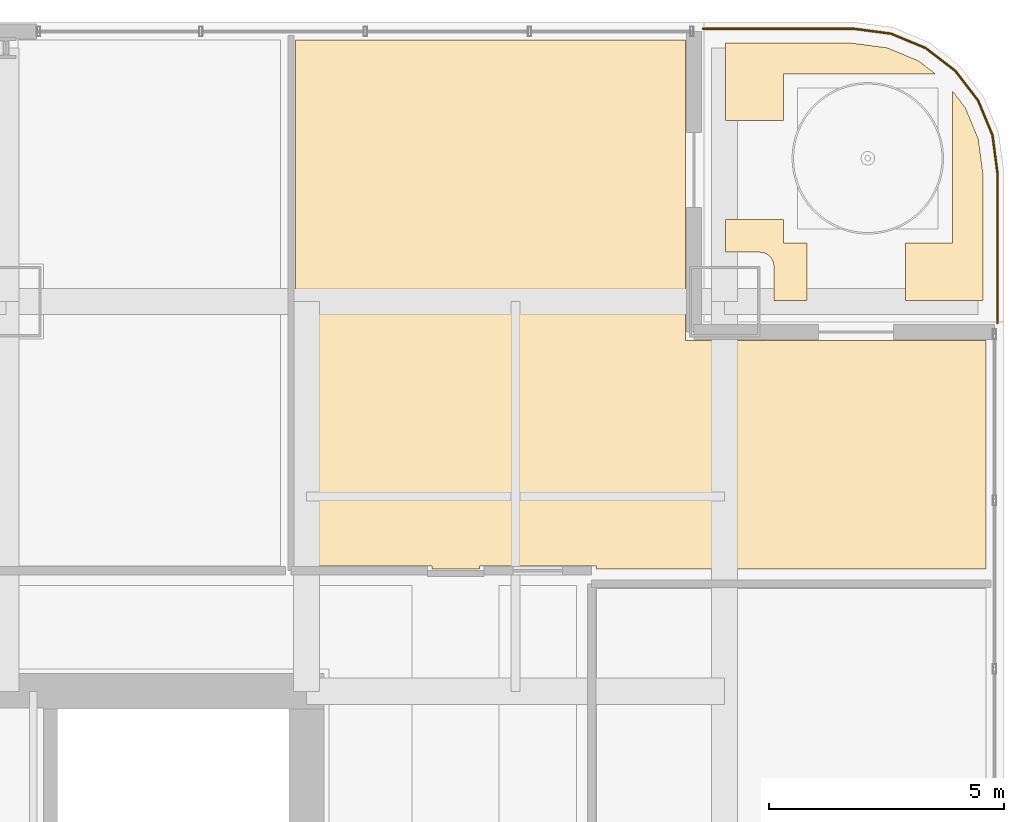
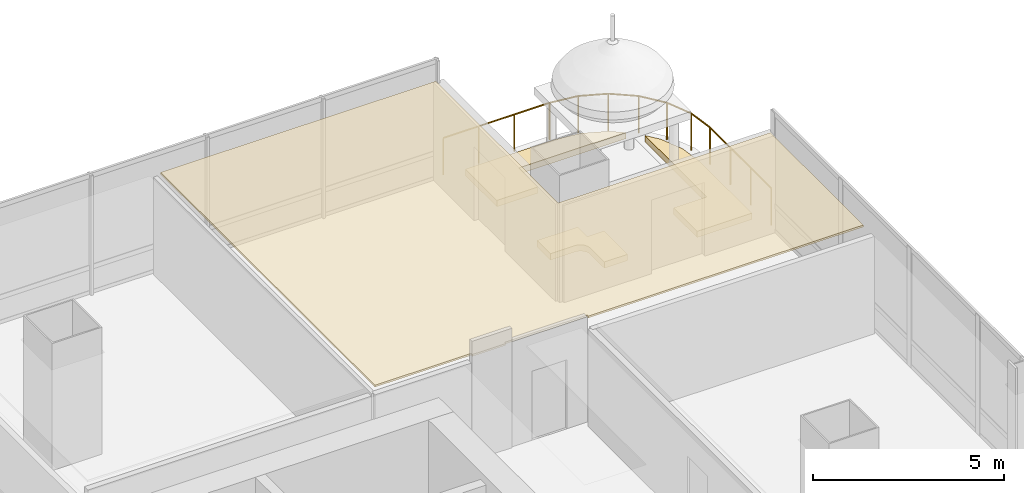
# One storey, part 37 of 37: 4 coverings, 1 railing.
"""IFC4 building model written with IfcOpenShell, lengths in metres."""

from ifc_helpers import new_model, si_unit, direction, frame, origin, origin_2d, place, context, subcontext, project, spatial, polyline, circle, outline, extrude, material, layer, layer_set, type_object, element, save


model = new_model("IFC4")

# Units and contexts
model_context = context("Model", 3, precision=1e-05, world=origin(), true_north=direction((0.0, 1.0)))
body_context = subcontext(model_context, "Body", "Model", "MODEL_VIEW")
ifc_project = project(units=[si_unit("LENGTHUNIT", "METRE"), si_unit("AREAUNIT", "SQUARE_METRE"), si_unit("VOLUMEUNIT", "CUBIC_METRE"), si_unit("PLANEANGLEUNIT", "RADIAN"), si_unit("MASSUNIT", "GRAM", prefix="KILO")], contexts=[model_context])

# Site, building, storey
site_placement = place(None, origin())
site = spatial("IfcSite", under=ifc_project, at=site_placement, CompositionType="ELEMENT")
building_placement = place(site_placement, origin())
building = spatial("IfcBuilding", under=site, at=building_placement, Name="Punatoya Terracotta Tower", CompositionType="ELEMENT")
storey_placement = place(building_placement, frame((0.0, 0.0, 109.199951171875)))
storey = spatial("IfcBuildingStorey", under=building, at=storey_placement, Name="L25", CompositionType="ELEMENT", Elevation=109.199951171875)

# Coverings
ifc_material_1 = material(Name="Acoustic Mineral Fibre Ceiling")
ifc_layer_1 = layer(ifc_material_1, 0.06005859375)
ifc_layer_set_1 = layer_set([ifc_layer_1], Name="Acoustic Mineral Fibre Ceiling")
covering_type_1 = type_object("IfcCoveringType", Name="COV-CEIL-60", PredefinedType="CEILING", material=ifc_layer_set_1)
covering_1_placement = place(storey_placement, frame((0.0, 0.0, 3.199951171875)))
element("IfcCovering", 1, at=covering_1_placement, inside=storey, type_object=covering_type_1, Name="L25 Wellness Quiet Room Acoustic Ceiling", PredefinedType="CEILING", context=body_context, shape_type="SweptSolid", body=[
    extrude(outline(polyline([(12.8701171875, 11.81005859375), (13.8798828125, 11.81005859375), (13.8798828125, 11.8701171875), (16.3701171875, 11.8701171875), (16.3701171875, 11.81005859375), (24.669921875, 11.81005859375), (24.669921875, 16.669921875), (18.27001953125, 16.669921875), (18.27001953125, 23.070068359375), (9.968017578125, 23.070068359375), (9.968017578125, 11.8701171875), (12.8701171875, 11.8701171875), (12.8701171875, 11.81005859375)])), origin(), (0.0, 0.0, 1.0), 0.06005859375),
])
ifc_material_2 = material(Name="Green Roof Planting Soil Medium")
ifc_layer_2 = layer(ifc_material_2, 0.35009765625)
ifc_layer_set_2 = layer_set([ifc_layer_2], Name="Green Roof Planting Soil Medium")
covering_type_2 = type_object("IfcCoveringType", Name="COV-TER-350", PredefinedType="ROOFING", material=ifc_layer_set_2)
covering_2_placement = place(storey_placement, origin())
element("IfcCovering", 2, at=covering_2_placement, inside=storey, type_object=covering_type_2, Name="L25 NE Corner Sky-Court Terrace Planted Soil Bed 1", PredefinedType="ROOFING", context=body_context, shape_type="SweptSolid", body=[
    extrude(outline(polyline([(20.35009765625, 18.75), (20.35009765625, 19.25), (19.1201171875, 19.25), (19.1201171875, 18.550048828125), (19.85009765625, 18.550048828125), (19.87939453125, 18.548583984375), (19.908447265625, 18.544189453125), (19.93701171875, 18.537109375), (19.96484375, 18.527099609375), (19.991455078125, 18.5146484375), (20.0166015625, 18.49951171875), (20.040283203125, 18.48193359375), (20.06201171875, 18.462158203125), (20.081787109375, 18.440185546875), (20.099365234375, 18.416748046875), (20.114501953125, 18.391357421875), (20.127197265625, 18.36474609375), (20.13720703125, 18.337158203125), (20.144287109375, 18.30859375), (20.148681640625, 18.279296875), (20.14990234375, 18.25), (20.14990234375, 17.52001953125), (20.85009765625, 17.52001953125), (20.85009765625, 18.75), (20.35009765625, 18.75)])), origin(), (0.0, 0.0, 1.0), 0.199951171875),
])
covering_3_placement = place(storey_placement, origin())
element("IfcCovering", 3, at=covering_3_placement, inside=storey, type_object=covering_type_2, Name="L25 NE Corner Sky-Court Terrace Planted Soil Bed 2", PredefinedType="ROOFING", context=body_context, shape_type="SweptSolid", body=[
    extrude(outline(polyline([(20.35009765625, 22.35009765625), (23.585693359375, 22.35009765625), (23.222900390625, 22.628173828125), (22.560791015625, 22.902587890625), (21.820556640625, 23.0), (19.1201171875, 23.0), (19.1201171875, 21.35009765625), (20.35009765625, 21.35009765625), (20.35009765625, 22.35009765625)])), origin(), (0.0, 0.0, 1.0), 0.199951171875),
])
covering_4_placement = place(storey_placement, origin())
element("IfcCovering", 4, at=covering_4_placement, inside=storey, type_object=covering_type_2, Name="L25 NE Corner Sky-Court Terrace Planted Soil Bed 3", PredefinedType="ROOFING", context=body_context, shape_type="SweptSolid", body=[
    extrude(outline(polyline([(23.949951171875, 21.985595703125), (23.949951171875, 18.75), (22.949951171875, 18.75), (22.949951171875, 17.52001953125), (24.60009765625, 17.52001953125), (24.60009765625, 20.220458984375), (24.502685546875, 20.960693359375), (24.228271484375, 21.623046875), (23.949951171875, 21.985595703125)])), origin(), (0.0, 0.0, 1.0), 0.199951171875),
])

# Railing
ifc_material_3 = material(Name="Steel S355", Category="steel")
railing_type = type_object("IfcRailingType", Name="RLG-BAL-1200", PredefinedType="BALUSTRADE", material=ifc_material_3)
railing_placement = place(storey_placement, frame((24.909912109375, 17.0400390625, 0.0)))
element("IfcRailing", 5, at=railing_placement, inside=storey, type_object=railing_type, Name="L25 NE Corner Sky-Court Terrace Guardrail", PredefinedType="BALUSTRADE", context=body_context, shape_type="SweptSolid", body=[
    extrude(circle(Radius=0.02392578125, at=origin_2d()), frame((0.0, 0.0, 1.17578125), z_axis=(0.0, 1.0, 0.0), x_axis=(-1.0, 0.0, 0.0)), (0.0, 0.0, 1.0), 3.20068359375),
    extrude(circle(Radius=0.02392578125, at=origin_2d()), frame((0.0, 3.20068359375, 1.17578125), z_axis=(-0.130243450464, 0.991482044019, 0.0), x_axis=(-0.991482044019, -0.130243450464, 0.0)), (0.0, 0.0, 1.0), 0.807861328125),
    extrude(circle(Radius=0.02392578125, at=origin_2d()), frame((-0.105224609375, 4.001708984375, 1.17578125), z_axis=(-0.382855910246, 0.92380807097, 0.0), x_axis=(-0.92380807097, -0.382855910246, 0.0)), (0.0, 0.0, 1.0), 0.79833984375),
    extrude(circle(Radius=0.02392578125, at=origin_2d()), frame((-0.410888671875, 4.7392578125, 1.17578125), z_axis=(-0.608720337212, 0.793384869445, 0.0), x_axis=(-0.793384869445, -0.608720337212, 0.0)), (0.0, 0.0, 1.0), 0.798583984375),
    extrude(circle(Radius=0.02392578125, at=origin_2d()), frame((-0.89697265625, 5.372802734375, 1.17578125), z_axis=(-0.793384869445, 0.608720337212, 0.0), x_axis=(-0.608720337212, -0.793384869445, 0.0)), (0.0, 0.0, 1.0), 0.798583984375),
    extrude(circle(Radius=0.02392578125, at=origin_2d()), frame((-1.530517578125, 5.85888671875, 1.17578125), z_axis=(-0.923852875068, 0.382747782788, 0.0), x_axis=(-0.382747782788, -0.923852875068, 0.0)), (0.0, 0.0, 1.0), 0.798583984375),
    extrude(circle(Radius=0.02392578125, at=origin_2d()), frame((-2.268310546875, 6.16455078125, 1.17578125), z_axis=(-0.991437826512, 0.130579616175, 0.0), x_axis=(-0.130579616175, -0.991437826512, 0.0)), (0.0, 0.0, 1.0), 0.8076171875),
    extrude(circle(Radius=0.02392578125, at=origin_2d()), frame((-3.069091796875, 6.27001953125, 1.17578125), z_axis=(-1.0, 0.0, 0.0), x_axis=(0.0, -1.0, 0.0)), (0.0, 0.0, 1.0), 3.200927734375),
    extrude(circle(Radius=0.02099609375, at=origin_2d()), origin(), (0.0, 0.0, 1.0), 1.15185546875),
    extrude(circle(Radius=0.02099609375, at=origin_2d()), frame((0.0, 1.06689453125, 0.0)), (0.0, 0.0, 1.0), 1.15185546875),
    extrude(circle(Radius=0.02099609375, at=origin_2d()), frame((0.0, 2.1337890625, 0.0)), (0.0, 0.0, 1.0), 1.15185546875),
    extrude(circle(Radius=0.02099609375, at=origin_2d()), frame((0.0, 3.20068359375, 0.0)), (0.0, 0.0, 1.0), 1.15185546875),
    extrude(circle(Radius=0.02099609375, at=origin_2d()), frame((-0.105224609375, 4.001708984375, 0.0)), (0.0, 0.0, 1.0), 1.15185546875),
    extrude(circle(Radius=0.02099609375, at=origin_2d()), frame((-0.410888671875, 4.7392578125, 0.0)), (0.0, 0.0, 1.0), 1.15185546875),
    extrude(circle(Radius=0.02099609375, at=origin_2d()), frame((-0.89697265625, 5.372802734375, 0.0)), (0.0, 0.0, 1.0), 1.15185546875),
    extrude(circle(Radius=0.02099609375, at=origin_2d()), frame((-1.530517578125, 5.85888671875, 0.0)), (0.0, 0.0, 1.0), 1.15185546875),
    extrude(circle(Radius=0.02099609375, at=origin_2d()), frame((-2.268310546875, 6.16455078125, 0.0)), (0.0, 0.0, 1.0), 1.15185546875),
    extrude(circle(Radius=0.02099609375, at=origin_2d()), frame((-3.069091796875, 6.27001953125, 0.0)), (0.0, 0.0, 1.0), 1.15185546875),
    extrude(circle(Radius=0.02099609375, at=origin_2d()), frame((-4.135986328125, 6.27001953125, 0.0)), (0.0, 0.0, 1.0), 1.15185546875),
    extrude(circle(Radius=0.02099609375, at=origin_2d()), frame((-5.203125, 6.27001953125, 0.0)), (0.0, 0.0, 1.0), 1.15185546875),
    extrude(circle(Radius=0.02099609375, at=origin_2d()), frame((-6.27001953125, 6.27001953125, 0.0)), (0.0, 0.0, 1.0), 1.15185546875),
])

save(model, "model.ifc")
